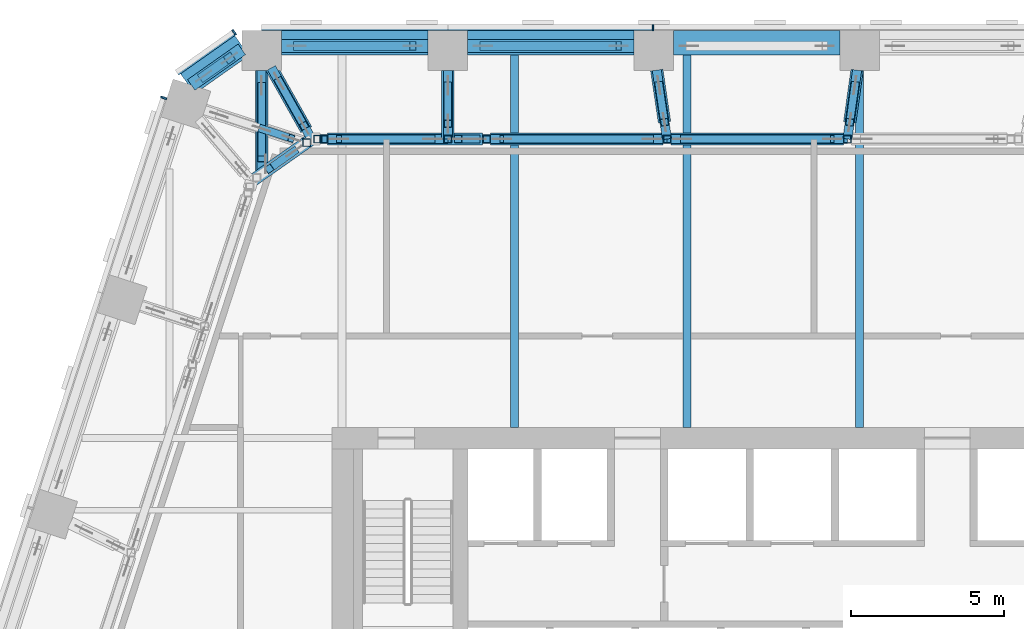
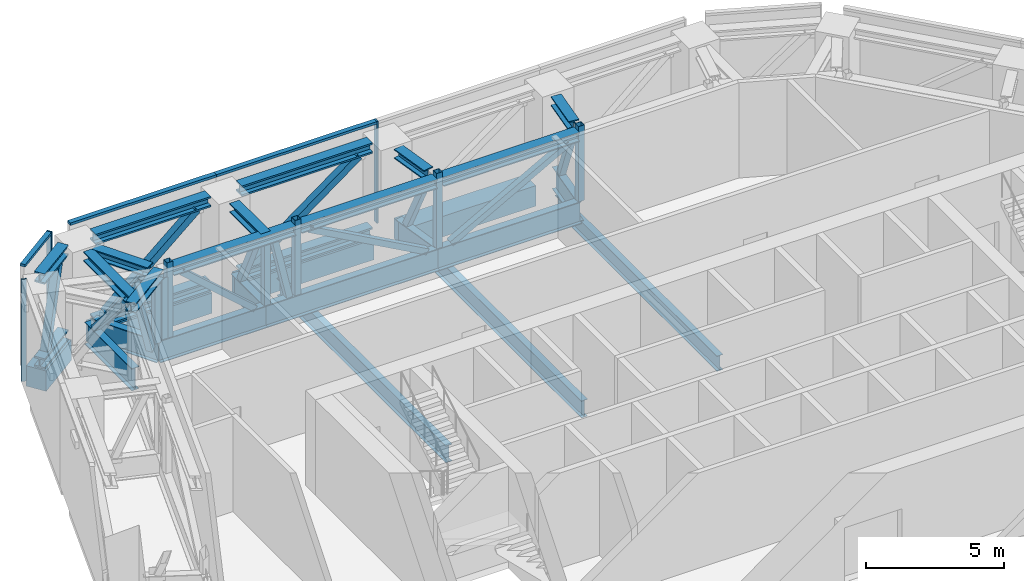
# One storey, part 10 of 26: 50 members, 7 beams, 3 elements without a shape of their own.
"""IFC4 building model written with IfcOpenShell, lengths in metres."""

from ifc_helpers import new_model, si_unit, direction, frame, origin, origin_2d, place, context, subcontext, project, spatial, rectangle, hollow_rectangle, i_section, extrude, material, layer, layer_set, material_profile, profile_set, type_object, element, aggregate, save


model = new_model("IFC4")

# Units and contexts
model_context = context("Model", 3, precision=1e-05, world=origin(), true_north=direction((0.0, 1.0)))
body_context = subcontext(model_context, "Body", "Model", "MODEL_VIEW")
ifc_project = project(units=[si_unit("LENGTHUNIT", "METRE"), si_unit("AREAUNIT", "SQUARE_METRE"), si_unit("VOLUMEUNIT", "CUBIC_METRE"), si_unit("PLANEANGLEUNIT", "RADIAN"), si_unit("MASSUNIT", "GRAM", prefix="KILO")], contexts=[model_context])

# Site, building, storey
site_placement = place(None, origin())
site = spatial("IfcSite", under=ifc_project, at=site_placement, CompositionType="ELEMENT")
building_placement = place(site_placement, origin())
building = spatial("IfcBuilding", under=site, at=building_placement, Name="Isthmus Gate Tower", CompositionType="ELEMENT")
storey_placement = place(building_placement, frame((0.0, 0.0, 207.300048828125)))
storey = spatial("IfcBuildingStorey", under=building, at=storey_placement, Name="L52", CompositionType="ELEMENT", Elevation=207.300048828125)

# Members
ifc_material_1 = material(Name="Structural steel ASTM A913 Gr 65", Category="steel")
ifc_material_profile_1 = material_profile(ifc_material_1, i_section(OverallWidth=0.42236328125, OverallDepth=0.46337890625, WebThickness=0.04443359375, FlangeThickness=0.072998046875, at=origin_2d()), Name="W14X398")
ifc_profile_set_1 = profile_set([ifc_material_profile_1], Name="Structural steel ASTM A913 Gr 65")
member_type_1 = type_object("IfcMemberType", Name="BELT TRUSS CHORD W14X398", PredefinedType="CHORD", material=ifc_profile_set_1)
for number, where, z_axis, x_axis, name in (
    (1, (-19.620361328125, 26.221923828125, 0.231689453125), (0.817877769394, 0.575392000579, 0.0), (-0.575392000579, 0.817877769394, 0.0), "str-belt25-L52-01"),
    (2, (-19.620361328125, 26.221923828125, 3.96826171875), (0.817877769394, 0.575392000579, 0.0), (-0.575392000579, 0.817877769394, 0.0), "str-belt25-L52-02"),
):
    element("IfcMember", number, at=place(storey_placement, frame(where, z_axis=z_axis, x_axis=x_axis)), inside=storey, type_object=member_type_1, Name=name, PredefinedType="CHORD", context=body_context, shape_type="SweptSolid", body=[
        extrude(i_section(OverallWidth=0.42236328125, OverallDepth=0.46337890625, WebThickness=0.04443359375, FlangeThickness=0.072998046875, at=origin_2d()), origin(), (0.0, 0.0, 1.0), 2.02783203125),
    ])
for number, where, z_axis, x_axis, name in (
    (3, (-16.661865234375, 27.5, 0.231689453125), (1.0, 0.0, 0.0), (0.0, 1.0, 0.0), "str-belt26-L52-01"),
    (4, (-16.661865234375, 27.5, 3.96826171875), (1.0, 0.0, 0.0), (0.0, 1.0, 0.0), "str-belt26-L52-02"),
):
    element("IfcMember", number, at=place(storey_placement, frame(where, z_axis=z_axis, x_axis=x_axis)), inside=storey, type_object=member_type_1, Name=name, PredefinedType="CHORD", context=body_context, shape_type="SweptSolid", body=[
        extrude(i_section(OverallWidth=0.42236328125, OverallDepth=0.46337890625, WebThickness=0.04443359375, FlangeThickness=0.072998046875, at=origin_2d()), origin(), (0.0, 0.0, 1.0), 4.800048828125),
    ])
for number, where, z_axis, x_axis, name in (
    (5, (-10.561767578125, 27.5, 0.231689453125), (1.0, 0.0, 0.0), (0.0, 1.0, 0.0), "str-belt27-L52-01"),
    (6, (-10.561767578125, 27.5, 3.96826171875), (1.0, 0.0, 0.0), (0.0, 1.0, 0.0), "str-belt27-L52-02"),
):
    element("IfcMember", number, at=place(storey_placement, frame(where, z_axis=z_axis, x_axis=x_axis)), inside=storey, type_object=member_type_1, Name=name, PredefinedType="CHORD", context=body_context, shape_type="SweptSolid", body=[
        extrude(i_section(OverallWidth=0.42236328125, OverallDepth=0.46337890625, WebThickness=0.04443359375, FlangeThickness=0.072998046875, at=origin_2d()), origin(), (0.0, 0.0, 1.0), 5.449951171875),
    ])

# Curtain wall, member
ifc_material_2 = material(Name="Aluminium, pale champagne anodised", Category="aluminium")
ifc_layer = layer(ifc_material_2, 0.199951171875)
ifc_layer_set = layer_set([ifc_layer], Name="CW-2 LOUVRE CURTAIN WALL 200 DEEP")
curtain_wall_type = type_object("IfcCurtainWallType", Name="CW-2 LOUVRE CURTAIN WALL 200 DEEP", PredefinedType="NOTDEFINED", material=ifc_layer_set)
curtain_wall_1_placement = place(storey_placement, origin())
curtain_wall_1 = element("IfcCurtainWall", 7, at=curtain_wall_1_placement, inside=storey, type_object=curtain_wall_type, Name="CW-2 N L52", PredefinedType="NOTDEFINED")
ifc_material_3 = material(Name="Aluminium, pale champagne anodised", Category="aluminium")
ifc_material_profile_2 = material_profile(ifc_material_3, rectangle(XDim=0.06005859375, YDim=0.199951171875, at=origin_2d()), Name="60x200")
ifc_profile_set_2 = profile_set([ifc_material_profile_2], Name="Aluminium, pale champagne anodised")
member_type_2 = type_object("IfcMemberType", Name="CW-2 MULLION 60 X 200", PredefinedType="MULLION", material=ifc_profile_set_2)
member_1_placement = place(storey_placement, frame((-4.49169921875, 28.10009765625, 0.0), z_axis=(0.0, 0.0, 1.0), x_axis=(-1.0, 0.0, 0.0)))
member_1 = element("IfcMember", 8, at=member_1_placement, type_object=member_type_2, Name="CW-2 mullion", PredefinedType="MULLION", context=body_context, shape_type="SweptSolid", body=[
    extrude(rectangle(XDim=0.06005859375, YDim=0.199951171875, at=origin_2d()), origin(), (0.0, 0.0, 1.0), 4.5),
])

curtain_wall_2_placement = place(storey_placement, origin())
curtain_wall_2 = element("IfcCurtainWall", 9, at=curtain_wall_2_placement, inside=storey, type_object=curtain_wall_type, Name="CW-2 N-NW L52", PredefinedType="NOTDEFINED")
member_2_placement = place(storey_placement, frame((-18.216552734375, 27.943115234375, 0.0), z_axis=(0.0, 0.0, 1.0), x_axis=(-0.81785959165, -0.57541783805, 0.0)))
member_2 = element("IfcMember", 10, at=member_2_placement, type_object=member_type_2, Name="CW-2 mullion", PredefinedType="MULLION", context=body_context, shape_type="SweptSolid", body=[
    extrude(rectangle(XDim=0.06005859375, YDim=0.199951171875, at=origin_2d()), origin(), (0.0, 0.0, 1.0), 4.5),
])

curtain_wall_3_placement = place(storey_placement, origin())
curtain_wall_3 = element("IfcCurtainWall", 11, at=curtain_wall_3_placement, inside=storey, type_object=curtain_wall_type, Name="CW-2 NW L52", PredefinedType="NOTDEFINED")
member_3_placement = place(storey_placement, frame((-20.52001953125, 25.799072265625, 0.0), z_axis=(0.0, 0.0, 1.0), x_axis=(-0.309016994375, -0.951056516295, 0.0)))
member_3 = element("IfcMember", 12, at=member_3_placement, type_object=member_type_2, Name="CW-2 mullion", PredefinedType="MULLION", context=body_context, shape_type="SweptSolid", body=[
    extrude(rectangle(XDim=0.06005859375, YDim=0.199951171875, at=origin_2d()), origin(), (0.0, 0.0, 1.0), 4.5),
])
aggregate(curtain_wall_3, [member_3])

# Member
ifc_material_4 = material(Name="Aluminium, pale champagne anodised", Category="aluminium")
ifc_material_profile_3 = material_profile(ifc_material_4, rectangle(XDim=0.199951171875, YDim=0.110107421875, at=origin_2d()), Name="200x110")
ifc_profile_set_3 = profile_set([ifc_material_profile_3], Name="Aluminium, pale champagne anodised")
member_type_3 = type_object("IfcMemberType", Name="CW-2 TRANSOM 200 X 110", PredefinedType="USERDEFINED", material=ifc_profile_set_3)
member_4_placement = place(storey_placement, frame((-4.521728515625, 28.10009765625, 4.445068359375), z_axis=(-1.0, 0.0, 0.0), x_axis=(0.0, -1.0, 0.0)))
member_4 = element("IfcMember", 13, at=member_4_placement, type_object=member_type_3, Name="CW-2 transom", ObjectType="TRANSOM", PredefinedType="USERDEFINED", context=body_context, shape_type="SweptSolid", body=[
    extrude(rectangle(XDim=0.199951171875, YDim=0.110107421875, at=origin_2d()), origin(), (0.0, 0.0, 1.0), 6.690185546875),
])

member_5_placement = place(storey_placement, frame((-11.2119140625, 28.10009765625, 4.445068359375), z_axis=(-1.0, 0.0, 0.0), x_axis=(0.0, -1.0, 0.0)))
member_5 = element("IfcMember", 14, at=member_5_placement, type_object=member_type_3, Name="CW-2 transom", ObjectType="TRANSOM", PredefinedType="USERDEFINED", context=body_context, shape_type="SweptSolid", body=[
    extrude(rectangle(XDim=0.199951171875, YDim=0.110107421875, at=origin_2d()), origin(), (0.0, 0.0, 1.0), 6.10009765625),
])

aggregate(curtain_wall_1, [member_1, member_4, member_5])

member_6_placement = place(storey_placement, frame((-18.2412109375, 27.92578125, 4.445068359375), z_axis=(-0.817868595604, -0.575405040233, 0.0), x_axis=(0.575405040233, -0.817868595604, 0.0)))
member_6 = element("IfcMember", 15, at=member_6_placement, type_object=member_type_3, Name="CW-2 transom", ObjectType="TRANSOM", PredefinedType="USERDEFINED", context=body_context, shape_type="SweptSolid", body=[
    extrude(rectangle(XDim=0.199951171875, YDim=0.110107421875, at=origin_2d()), origin(), (0.0, 0.0, 1.0), 2.258544921875),
])

aggregate(curtain_wall_2, [member_2, member_6])

# Beams
ifc_material_5 = material(Name="Concrete f'c 60 MPa", Category="concrete")
ifc_material_profile_4 = material_profile(ifc_material_5, rectangle(XDim=0.800048828125, YDim=0.89990234375, at=origin_2d()), Name="RC 800X900")
ifc_profile_set_4 = profile_set([ifc_material_profile_4], Name="Concrete f'c 60 MPa")
beam_type_1 = type_object("IfcBeamType", Name="RC SPANDREL 800 X 900", PredefinedType="SPANDREL", material=ifc_profile_set_4)
beam_1_placement = place(storey_placement, frame((-19.7392578125, 26.260498046875, -0.449951171875), z_axis=(0.817857331203, 0.575421050882, 0.0), x_axis=(-0.575421050882, 0.817857331203, 0.0)))
element("IfcBeam", 16, at=beam_1_placement, inside=storey, type_object=beam_type_1, Name="str-spandrel-L52-25", PredefinedType="SPANDREL", context=body_context, shape_type="SweptSolid", body=[
    extrude(rectangle(XDim=0.800048828125, YDim=0.89990234375, at=origin_2d()), origin(), (0.0, 0.0, 1.0), 2.173095703125),
])
beam_2_placement = place(storey_placement, frame((-16.661865234375, 27.60009765625, -0.449951171875), z_axis=(1.0, 0.0, 0.0), x_axis=(0.0, 1.0, 0.0)))
element("IfcBeam", 17, at=beam_2_placement, inside=storey, type_object=beam_type_1, Name="str-spandrel-L52-26", PredefinedType="SPANDREL", context=body_context, shape_type="SweptSolid", body=[
    extrude(rectangle(XDim=0.800048828125, YDim=0.89990234375, at=origin_2d()), origin(), (0.0, 0.0, 1.0), 4.800048828125),
])
beam_3_placement = place(storey_placement, frame((-10.561767578125, 27.60009765625, -0.449951171875), z_axis=(1.0, 0.0, 0.0), x_axis=(0.0, 1.0, 0.0)))
element("IfcBeam", 18, at=beam_3_placement, inside=storey, type_object=beam_type_1, Name="str-spandrel-L52-27", PredefinedType="SPANDREL", context=body_context, shape_type="SweptSolid", body=[
    extrude(rectangle(XDim=0.800048828125, YDim=0.89990234375, at=origin_2d()), origin(), (0.0, 0.0, 1.0), 5.449951171875),
])
beam_4_placement = place(storey_placement, frame((-3.811767578125, 27.60009765625, -0.449951171875), z_axis=(1.0, 0.0, 0.0), x_axis=(0.0, 1.0, 0.0)))
element("IfcBeam", 19, at=beam_4_placement, inside=storey, type_object=beam_type_1, Name="str-spandrel-L52-28", PredefinedType="SPANDREL", context=body_context, shape_type="SweptSolid", body=[
    extrude(rectangle(XDim=0.800048828125, YDim=0.89990234375, at=origin_2d()), origin(), (0.0, 0.0, 1.0), 5.4501953125),
])
ifc_material_6 = material(Name="Structural steel ASTM A992 Gr 50", Category="steel")
ifc_material_profile_5 = material_profile(ifc_material_6, i_section(OverallWidth=0.25390625, OverallDepth=0.679443359375, WebThickness=0.010986328125, FlangeThickness=0.015869140625, at=origin_2d()), Name="W27X84")
ifc_profile_set_5 = profile_set([ifc_material_profile_5], Name="Structural steel ASTM A992 Gr 50")
beam_type_2 = type_object("IfcBeamType", Name="STEEL FLOOR BEAM W27X84", PredefinedType="JOIST", material=ifc_profile_set_5)
beam_5_placement = place(storey_placement, frame((2.2783203125, 15.0, -0.6396484375), z_axis=(0.0, 1.0, 0.0), x_axis=(-1.0, 0.0, 0.0)))
element("IfcBeam", 20, at=beam_5_placement, inside=storey, type_object=beam_type_2, Name="str-beam-L52-05-04", PredefinedType="JOIST", context=body_context, shape_type="SweptSolid", body=[
    extrude(i_section(OverallWidth=0.25390625, OverallDepth=0.679443359375, WebThickness=0.010986328125, FlangeThickness=0.015869140625, at=origin_2d()), origin(), (0.0, 0.0, 1.0), 11.699951171875),
])
ifc_material_7 = material(Name="Structural steel ASTM A992 Gr 50", Category="steel")
ifc_material_profile_6 = material_profile(ifc_material_7, i_section(OverallWidth=0.263427734375, OverallDepth=0.749267578125, WebThickness=0.0126953125, FlangeThickness=0.015869140625, at=origin_2d()), Name="W30X90")
ifc_profile_set_6 = profile_set([ifc_material_profile_6], Name="Structural steel ASTM A992 Gr 50")
beam_type_3 = type_object("IfcBeamType", Name="STEEL FLOOR BEAM W30X90", PredefinedType="JOIST", material=ifc_profile_set_6)
for number, where, z_axis, x_axis, name in (
    (21, (-9.027099609375, 15.0, -0.6748046875), (0.0, 1.0, 0.0), (-1.0, 0.0, 0.0), "str-beam-L52-05-02"),
    (22, (-3.37451171875, 15.0, -0.6748046875), (0.0, 1.0, 0.0), (-1.0, 0.0, 0.0), "str-beam-L52-05-03"),
):
    element("IfcBeam", number, at=place(storey_placement, frame(where, z_axis=z_axis, x_axis=x_axis)), inside=storey, type_object=beam_type_3, Name=name, PredefinedType="JOIST", context=body_context, shape_type="SweptSolid", body=[
        extrude(i_section(OverallWidth=0.263427734375, OverallDepth=0.749267578125, WebThickness=0.0126953125, FlangeThickness=0.015869140625, at=origin_2d()), origin(), (0.0, 0.0, 1.0), 12.199951171875),
    ])

# Members
ifc_material_8 = material(Name="Structural steel ASTM A913 Gr 65", Category="steel")
ifc_material_profile_7 = material_profile(ifc_material_8, i_section(OverallWidth=0.406494140625, OverallDepth=0.416015625, WebThickness=0.0302734375, FlangeThickness=0.047607421875, at=origin_2d()), Name="W14X257")
ifc_profile_set_7 = profile_set([ifc_material_profile_7], Name="Structural steel ASTM A913 Gr 65")
member_type_4 = type_object("IfcMemberType", Name="TRANSFER TRUSS CHORD W14X257", PredefinedType="CHORD", material=ifc_profile_set_7)
member_7_placement = place(storey_placement, frame((-17.6376953125, 23.070556640625, 3.89208984375), z_axis=(0.817841924494, 0.575442948119, 0.0), x_axis=(-0.575442948119, 0.817841924494, 0.0)))
element("IfcMember", 23, at=member_7_placement, inside=storey, type_object=member_type_4, Name="str-ring10-L52-04", PredefinedType="CHORD", context=body_context, shape_type="SweptSolid", body=[
    extrude(i_section(OverallWidth=0.406494140625, OverallDepth=0.416015625, WebThickness=0.0302734375, FlangeThickness=0.047607421875, at=origin_2d()), origin(), (0.0, 0.0, 1.0), 2.397216796875),
])
member_8_placement = place(storey_placement, frame((-15.150146484375, 24.449951171875, 3.89208984375), z_axis=(1.0, 0.0, 0.0), x_axis=(0.0, 1.0, 0.0)))
element("IfcMember", 24, at=member_8_placement, inside=storey, type_object=member_type_4, Name="str-ring11-L52-14", PredefinedType="CHORD", context=body_context, shape_type="SweptSolid", body=[
    extrude(i_section(OverallWidth=0.406494140625, OverallDepth=0.416015625, WebThickness=0.0302734375, FlangeThickness=0.047607421875, at=origin_2d()), origin(), (0.0, 0.0, 1.0), 5.08203125),
])
for number, where, z_axis, x_axis, name in (
    (25, (-9.814208984375, 24.449951171875, 3.89208984375), (1.0, 0.0, 0.0), (0.0, 1.0, 0.0), "str-ring11-L52-15"),
    (26, (-3.903076171875, 24.449951171875, 3.89208984375), (1.0, 0.0, 0.0), (0.0, 1.0, 0.0), "str-ring11-L52-16"),
):
    element("IfcMember", number, at=place(storey_placement, frame(where, z_axis=z_axis, x_axis=x_axis)), inside=storey, type_object=member_type_4, Name=name, PredefinedType="CHORD", context=body_context, shape_type="SweptSolid", body=[
        extrude(i_section(OverallWidth=0.406494140625, OverallDepth=0.416015625, WebThickness=0.0302734375, FlangeThickness=0.047607421875, at=origin_2d()), origin(), (0.0, 0.0, 1.0), 5.656982421875),
    ])
member_9_placement = place(storey_placement, frame((2.197998046875, 26.706298828125, 3.89208984375), z_axis=(-0.13941764639, -0.99023366933, 0.0), x_axis=(0.99023366933, -0.13941764639, 0.0)))
element("IfcMember", 27, at=member_9_placement, inside=storey, type_object=member_type_4, Name="str-link01-L52-02", PredefinedType="CHORD", context=body_context, shape_type="SweptSolid", body=[
    extrude(i_section(OverallWidth=0.406494140625, OverallDepth=0.416015625, WebThickness=0.0302734375, FlangeThickness=0.047607421875, at=origin_2d()), origin(), (0.0, 0.0, 1.0), 1.72314453125),
])
member_10_placement = place(storey_placement, frame((-4.365966796875, 26.70703125, 3.89208984375), z_axis=(0.147122848446, -0.989118227243, 0.0), x_axis=(0.989118227243, 0.147122848446, 0.0)))
element("IfcMember", 28, at=member_10_placement, inside=storey, type_object=member_type_4, Name="str-link02-L52-02", PredefinedType="CHORD", context=body_context, shape_type="SweptSolid", body=[
    extrude(i_section(OverallWidth=0.406494140625, OverallDepth=0.416015625, WebThickness=0.0302734375, FlangeThickness=0.047607421875, at=origin_2d()), origin(), (0.0, 0.0, 1.0), 1.725830078125),
])
member_11_placement = place(storey_placement, frame((-11.2119140625, 26.699951171875, 3.89208984375), z_axis=(0.0, -1.0, 0.0), x_axis=(1.0, 0.0, 0.0)))
element("IfcMember", 29, at=member_11_placement, inside=storey, type_object=member_type_4, Name="str-link03-L52-02", PredefinedType="CHORD", context=body_context, shape_type="SweptSolid", body=[
    extrude(i_section(OverallWidth=0.406494140625, OverallDepth=0.416015625, WebThickness=0.0302734375, FlangeThickness=0.047607421875, at=origin_2d()), origin(), (0.0, 0.0, 1.0), 2.25),
])
member_12_placement = place(storey_placement, frame((-17.31201171875, 26.699951171875, 3.89208984375), z_axis=(0.0, -1.0, 0.0), x_axis=(1.0, 0.0, 0.0)))
element("IfcMember", 30, at=member_12_placement, inside=storey, type_object=member_type_4, Name="str-link04-L52-02", PredefinedType="CHORD", context=body_context, shape_type="SweptSolid", body=[
    extrude(i_section(OverallWidth=0.406494140625, OverallDepth=0.416015625, WebThickness=0.0302734375, FlangeThickness=0.047607421875, at=origin_2d()), origin(), (0.0, 0.0, 1.0), 3.400146484375),
])
member_13_placement = place(storey_placement, frame((-16.99267578125, 26.78369140625, 3.89208984375), z_axis=(0.491029005317, -0.87114322355, 0.0), x_axis=(0.87114322355, 0.491029005317, 0.0)))
element("IfcMember", 31, at=member_13_placement, inside=storey, type_object=member_type_4, Name="str-link41-L52-02", PredefinedType="CHORD", context=body_context, shape_type="SweptSolid", body=[
    extrude(i_section(OverallWidth=0.406494140625, OverallDepth=0.416015625, WebThickness=0.0302734375, FlangeThickness=0.047607421875, at=origin_2d()), origin(), (0.0, 0.0, 1.0), 2.324462890625),
])
ifc_material_9 = material(Name="Structural steel ASTM A913 Gr 65", Category="steel")
ifc_material_profile_8 = material_profile(ifc_material_9, i_section(OverallWidth=0.29833984375, OverallDepth=0.981201171875, WebThickness=0.015869140625, FlangeThickness=0.025390625, at=origin_2d()), Name="W40X167")
ifc_profile_set_8 = profile_set([ifc_material_profile_8], Name="Structural steel ASTM A913 Gr 65")
member_type_5 = type_object("IfcMemberType", Name="TRANSFER TRUSS CHORD W40X167", PredefinedType="CHORD", material=ifc_profile_set_8)
member_14_placement = place(storey_placement, frame((-15.67724609375, 24.449951171875, 0.490478515625), z_axis=(1.0, 0.0, 0.0), x_axis=(0.0, 1.0, 0.0)))
element("IfcMember", 32, at=member_14_placement, inside=storey, type_object=member_type_5, Name="str-ring11-L52-09", PredefinedType="CHORD", context=body_context, shape_type="SweptSolid", body=[
    extrude(i_section(OverallWidth=0.29833984375, OverallDepth=0.981201171875, WebThickness=0.015869140625, FlangeThickness=0.025390625, at=origin_2d()), origin(), (0.0, 0.0, 1.0), 4.465087890625),
])
member_15_placement = place(storey_placement, frame((-11.212158203125, 24.449951171875, 0.490478515625), z_axis=(1.0, 0.0, 0.0), x_axis=(0.0, 1.0, 0.0)))
element("IfcMember", 33, at=member_15_placement, inside=storey, type_object=member_type_5, Name="str-ring11-L52-10", PredefinedType="CHORD", context=body_context, shape_type="SweptSolid", body=[
    extrude(i_section(OverallWidth=0.29833984375, OverallDepth=0.981201171875, WebThickness=0.015869140625, FlangeThickness=0.025390625, at=origin_2d()), origin(), (0.0, 0.0, 1.0), 7.181884765625),
])
member_16_placement = place(storey_placement, frame((-4.0302734375, 24.449951171875, 0.490478515625), z_axis=(1.0, 0.0, 0.0), x_axis=(0.0, 1.0, 0.0)))
element("IfcMember", 34, at=member_16_placement, inside=storey, type_object=member_type_5, Name="str-ring11-L52-11", PredefinedType="CHORD", context=body_context, shape_type="SweptSolid", body=[
    extrude(i_section(OverallWidth=0.29833984375, OverallDepth=0.981201171875, WebThickness=0.015869140625, FlangeThickness=0.025390625, at=origin_2d()), origin(), (0.0, 0.0, 1.0), 5.9111328125),
])
member_17_placement = place(storey_placement, frame((2.197998046875, 26.706298828125, 0.490478515625), z_axis=(-0.13929094881, -0.990251499155, 0.0), x_axis=(0.990251499155, -0.13929094881, 0.0)))
element("IfcMember", 35, at=member_17_placement, inside=storey, type_object=member_type_5, Name="str-link01-L52-01", PredefinedType="CHORD", context=body_context, shape_type="SweptSolid", body=[
    extrude(i_section(OverallWidth=0.29833984375, OverallDepth=0.981201171875, WebThickness=0.015869140625, FlangeThickness=0.025390625, at=origin_2d()), origin(), (0.0, 0.0, 1.0), 2.278564453125),
])
member_18_placement = place(storey_placement, frame((-4.365966796875, 26.70703125, 0.490478515625), z_axis=(0.147215543838, -0.98910443516, 0.0), x_axis=(0.98910443516, 0.147215543838, 0.0)))
element("IfcMember", 36, at=member_18_placement, inside=storey, type_object=member_type_5, Name="str-link02-L52-01", PredefinedType="CHORD", context=body_context, shape_type="SweptSolid", body=[
    extrude(i_section(OverallWidth=0.29833984375, OverallDepth=0.981201171875, WebThickness=0.015869140625, FlangeThickness=0.025390625, at=origin_2d()), origin(), (0.0, 0.0, 1.0), 2.281982421875),
])
member_19_placement = place(storey_placement, frame((-11.2119140625, 26.699951171875, 0.490478515625), z_axis=(0.0, -1.0, 0.0), x_axis=(1.0, 0.0, 0.0)))
element("IfcMember", 37, at=member_19_placement, inside=storey, type_object=member_type_5, Name="str-link03-L52-01", PredefinedType="CHORD", context=body_context, shape_type="SweptSolid", body=[
    extrude(i_section(OverallWidth=0.29833984375, OverallDepth=0.981201171875, WebThickness=0.015869140625, FlangeThickness=0.025390625, at=origin_2d()), origin(), (0.0, 0.0, 1.0), 2.25),
])
member_20_placement = place(storey_placement, frame((-17.31201171875, 26.699951171875, 0.490478515625), z_axis=(0.0, -1.0, 0.0), x_axis=(1.0, 0.0, 0.0)))
element("IfcMember", 38, at=member_20_placement, inside=storey, type_object=member_type_5, Name="str-link04-L52-01", PredefinedType="CHORD", context=body_context, shape_type="SweptSolid", body=[
    extrude(i_section(OverallWidth=0.29833984375, OverallDepth=0.981201171875, WebThickness=0.015869140625, FlangeThickness=0.025390625, at=origin_2d()), origin(), (0.0, 0.0, 1.0), 3.400146484375),
])
member_21_placement = place(storey_placement, frame((-16.99267578125, 26.78369140625, 0.490478515625), z_axis=(0.491026895651, -0.871144412682, 0.0), x_axis=(0.871144412682, 0.491026895651, 0.0)))
element("IfcMember", 39, at=member_21_placement, inside=storey, type_object=member_type_5, Name="str-link41-L52-01", PredefinedType="CHORD", context=body_context, shape_type="SweptSolid", body=[
    extrude(i_section(OverallWidth=0.29833984375, OverallDepth=0.981201171875, WebThickness=0.015869140625, FlangeThickness=0.025390625, at=origin_2d()), origin(), (0.0, 0.0, 1.0), 2.678955078125),
])
ifc_material_10 = material(Name="Structural steel ASTM A500 Gr C", Category="steel")
ifc_material_profile_9 = material_profile(ifc_material_10, hollow_rectangle(XDim=0.25390625, YDim=0.25390625, WallThickness=0.01171875, at=origin_2d()), Name="HSS10X10X1/2")
ifc_profile_set_9 = profile_set([ifc_material_profile_9], Name="Structural steel ASTM A500 Gr C")
member_type_6 = type_object("IfcMemberType", Name="TRANSFER TRUSS DIAGONAL HSS10X10X1/2", PredefinedType="BRACE", material=ifc_profile_set_9)
member_22_placement = place(storey_placement, frame((-16.249755859375, 24.047119140625, 0.98095703125), z_axis=(-0.283023119705, -0.199133033325, 0.938213168076), x_axis=(0.575432749959, -0.817849099941, 0.0)))
element("IfcMember", 40, at=member_22_placement, inside=storey, type_object=member_type_6, Name="str-ring10-L52-05", PredefinedType="BRACE", context=body_context, shape_type="SweptSolid", body=[
    extrude(hollow_rectangle(XDim=0.25390625, YDim=0.25390625, WallThickness=0.01171875, at=origin_2d()), origin(), (0.0, 0.0, 1.0), 2.881103515625),
])
member_23_placement = place(storey_placement, frame((-11.712158203125, 24.449951171875, 0.98095703125), z_axis=(-0.749987769601, 0.0, 0.661451695477), x_axis=(0.0, -1.0, 0.0)))
element("IfcMember", 41, at=member_23_placement, inside=storey, type_object=member_type_6, Name="str-ring11-L52-19", PredefinedType="BRACE", context=body_context, shape_type="SweptSolid", body=[
    extrude(hollow_rectangle(XDim=0.25390625, YDim=0.25390625, WallThickness=0.01171875, at=origin_2d()), origin(), (0.0, 0.0, 1.0), 4.086669921875),
])
member_24_placement = place(storey_placement, frame((-10.276611328125, 24.449951171875, 0.98095703125), z_axis=(-0.216725065744, 0.0, 0.976232680194), x_axis=(0.0, -1.0, 0.0)))
element("IfcMember", 42, at=member_24_placement, inside=storey, type_object=member_type_6, Name="str-ring11-L52-20", PredefinedType="BRACE", context=body_context, shape_type="SweptSolid", body=[
    extrude(hollow_rectangle(XDim=0.25390625, YDim=0.25390625, WallThickness=0.01171875, at=origin_2d()), origin(), (0.0, 0.0, 1.0), 2.76904296875),
])
member_25_placement = place(storey_placement, frame((-4.5302734375, 24.449951171875, 0.98095703125), z_axis=(-0.876054941944, 0.0, 0.48221130088), x_axis=(0.0, -1.0, 0.0)))
element("IfcMember", 43, at=member_25_placement, inside=storey, type_object=member_type_6, Name="str-ring11-L52-21", PredefinedType="BRACE", context=body_context, shape_type="SweptSolid", body=[
    extrude(hollow_rectangle(XDim=0.25390625, YDim=0.25390625, WallThickness=0.01171875, at=origin_2d()), origin(), (0.0, 0.0, 1.0), 5.605712890625),
])
member_26_placement = place(storey_placement, frame((-3.5302734375, 24.449951171875, 0.98095703125), z_axis=(0.876065068487, 0.0, 0.482192903076), x_axis=(0.0, 1.0, 0.0)))
element("IfcMember", 44, at=member_26_placement, inside=storey, type_object=member_type_6, Name="str-ring11-L52-22", PredefinedType="BRACE", context=body_context, shape_type="SweptSolid", body=[
    extrude(hollow_rectangle(XDim=0.25390625, YDim=0.25390625, WallThickness=0.01171875, at=origin_2d()), origin(), (0.0, 0.0, 1.0), 5.60595703125),
])
member_27_placement = place(storey_placement, frame((2.128173828125, 26.211181640625, 0.98095703125), z_axis=(-0.057435836662, -0.408222329058, 0.911073901901), x_axis=(0.990246684432, -0.1393251735, 0.0)))
element("IfcMember", 45, at=member_27_placement, inside=storey, type_object=member_type_6, Name="str-link01-L52-03", PredefinedType="BRACE", context=body_context, shape_type="SweptSolid", body=[
    extrude(hollow_rectangle(XDim=0.25390625, YDim=0.25390625, WallThickness=0.01171875, at=origin_2d()), origin(), (0.0, 0.0, 1.0), 2.967041015625),
])
member_28_placement = place(storey_placement, frame((-4.29248046875, 26.212646484375, 0.98095703125), z_axis=(0.060785196857, -0.408552195924, 0.910708659808), x_axis=(0.989112390925, 0.147162081114, 0.0)))
element("IfcMember", 46, at=member_28_placement, inside=storey, type_object=member_type_6, Name="str-link02-L52-03", PredefinedType="BRACE", context=body_context, shape_type="SweptSolid", body=[
    extrude(hollow_rectangle(XDim=0.25390625, YDim=0.25390625, WallThickness=0.01171875, at=origin_2d()), origin(), (0.0, 0.0, 1.0), 2.96826171875),
])
member_29_placement = place(storey_placement, frame((-11.2119140625, 26.199951171875, 0.98095703125), z_axis=(0.0, -0.419723480198, 0.907652025928), x_axis=(1.0, 0.0, 0.0)))
element("IfcMember", 47, at=member_29_placement, inside=storey, type_object=member_type_6, Name="str-link03-L52-03", PredefinedType="BRACE", context=body_context, shape_type="SweptSolid", body=[
    extrude(hollow_rectangle(XDim=0.25390625, YDim=0.25390625, WallThickness=0.01171875, at=origin_2d()), origin(), (0.0, 0.0, 1.0), 2.978271484375),
])
member_30_placement = place(storey_placement, frame((-17.31201171875, 26.199951171875, 0.98095703125), z_axis=(0.0, -0.663957120659, 0.747770647944), x_axis=(1.0, 0.0, 0.0)))
element("IfcMember", 48, at=member_30_placement, inside=storey, type_object=member_type_6, Name="str-link04-L52-03", PredefinedType="BRACE", context=body_context, shape_type="SweptSolid", body=[
    extrude(hollow_rectangle(XDim=0.25390625, YDim=0.25390625, WallThickness=0.01171875, at=origin_2d()), origin(), (0.0, 0.0, 1.0), 3.614990234375),
])
member_31_placement = place(storey_placement, frame((-16.747314453125, 26.34814453125, 0.98095703125), z_axis=(0.259162995064, -0.459634548085, 0.849453132431), x_axis=(0.871074174008, 0.491151487197, 0.0)))
element("IfcMember", 49, at=member_31_placement, inside=storey, type_object=member_type_6, Name="str-link41-L52-03", PredefinedType="BRACE", context=body_context, shape_type="SweptSolid", body=[
    extrude(hollow_rectangle(XDim=0.25390625, YDim=0.25390625, WallThickness=0.01171875, at=origin_2d()), origin(), (0.0, 0.0, 1.0), 3.18212890625),
])
member_32_placement = place(storey_placement, frame((-17.3125, 24.78857421875, 2.572265625), z_axis=(0.643685702903, -0.209173606117, 0.736148842546), x_axis=(0.309053669321, 0.951044599101, 0.0)))
element("IfcMember", 50, at=member_32_placement, inside=storey, type_object=member_type_6, Name="str-link05-L52-03b", PredefinedType="BRACE", context=body_context, shape_type="SweptSolid", body=[
    extrude(hollow_rectangle(XDim=0.25390625, YDim=0.25390625, WallThickness=0.01171875, at=origin_2d()), origin(), (0.0, 0.0, 1.0), 1.51025390625),
])
ifc_material_11 = material(Name="Structural steel ASTM A500 Gr C", Category="steel")
ifc_material_profile_10 = material_profile(ifc_material_11, hollow_rectangle(XDim=0.25390625, YDim=0.25390625, WallThickness=0.01171875, at=origin_2d()), Name="HSS10X10X1/2")
ifc_profile_set_10 = profile_set([ifc_material_profile_10], Name="Structural steel ASTM A500 Gr C")
member_type_7 = type_object("IfcMemberType", Name="TRANSFER TRUSS POST HSS10X10X1/2", PredefinedType="POST", material=ifc_profile_set_10)
for number, where, z_axis, x_axis, name in (
    (51, (-15.8408203125, 24.334716796875, 0.98095703125), (0.0, 0.0, 1.0), (1.0, 0.0, 0.0), "str-ring10-L52-02"),
    (52, (-15.477294921875, 24.449951171875, 0.98095703125), (0.0, 0.0, 1.0), (1.0, 0.0, 0.0), "str-ring11-L52-01"),
):
    element("IfcMember", number, at=place(storey_placement, frame(where, z_axis=z_axis, x_axis=x_axis)), inside=storey, type_object=member_type_7, Name=name, PredefinedType="POST", context=body_context, shape_type="SweptSolid", body=[
        extrude(hollow_rectangle(XDim=0.25390625, YDim=0.25390625, WallThickness=0.01171875, at=origin_2d()), origin(), (0.0, 0.0, 1.0), 2.703125),
    ])
member_33_placement = place(storey_placement, frame((-15.277099609375, 24.449951171875, 0.98095703125), z_axis=(0.0, 0.0, 1.0), x_axis=(1.0, 0.0, 0.0)))
element("IfcMember", 53, at=member_33_placement, inside=storey, type_object=member_type_7, Name="str-ring11-L52-02", PredefinedType="POST", context=body_context, shape_type="SweptSolid", body=[
    extrude(hollow_rectangle(XDim=0.25390625, YDim=0.25390625, WallThickness=0.01171875, at=origin_2d()), origin(), (0.0, 0.0, 1.0), 3.319091796875),
])
member_34_placement = place(storey_placement, frame((-11.212158203125, 24.449951171875, 0.98095703125), z_axis=(0.0, 0.0, 1.0), x_axis=(1.0, 0.0, 0.0)))
element("IfcMember", 54, at=member_34_placement, inside=storey, type_object=member_type_7, Name="str-ring11-L52-03", PredefinedType="POST", context=body_context, shape_type="SweptSolid", body=[
    extrude(hollow_rectangle(XDim=0.25390625, YDim=0.25390625, WallThickness=0.01171875, at=origin_2d()), origin(), (0.0, 0.0, 1.0), 2.703125),
])
for number, where, z_axis, x_axis, name in (
    (55, (-9.941162109375, 24.449951171875, 0.98095703125), (0.0, 0.0, 1.0), (1.0, 0.0, 0.0), "str-ring11-L52-04"),
    (56, (-4.0302734375, 24.449951171875, 0.98095703125), (0.0, 0.0, 1.0), (1.0, 0.0, 0.0), "str-ring11-L52-05"),
    (57, (1.880859375, 24.449951171875, 0.98095703125), (0.0, 0.0, 1.0), (1.0, 0.0, 0.0), "str-ring11-L52-06"),
):
    element("IfcMember", number, at=place(storey_placement, frame(where, z_axis=z_axis, x_axis=x_axis)), inside=storey, type_object=member_type_7, Name=name, PredefinedType="POST", context=body_context, shape_type="SweptSolid", body=[
        extrude(hollow_rectangle(XDim=0.25390625, YDim=0.25390625, WallThickness=0.01171875, at=origin_2d()), origin(), (0.0, 0.0, 1.0), 3.319091796875),
    ])
ifc_material_12 = material(Name="Structural steel ASTM A500 Gr C", Category="steel")
ifc_material_profile_11 = material_profile(ifc_material_12, hollow_rectangle(XDim=0.3046875, YDim=0.3046875, WallThickness=0.014892578125, at=origin_2d()), Name="HSS12X12X5/8")
ifc_profile_set_11 = profile_set([ifc_material_profile_11], Name="Structural steel ASTM A500 Gr C")
member_type_8 = type_object("IfcMemberType", Name="TRUSS DIAGONAL HSS12X12X5/8", PredefinedType="BRACE", material=ifc_profile_set_11)
member_35_placement = place(storey_placement, frame((-19.21142578125, 26.509521484375, 0.46337890625), z_axis=(0.24501274656, 0.172355757237, 0.954076646277), x_axis=(-0.575358057362, 0.817901648017, 0.0)))
element("IfcMember", 58, at=member_35_placement, inside=storey, type_object=member_type_8, Name="str-belt25-L52-03", PredefinedType="BRACE", context=body_context, shape_type="SweptSolid", body=[
    extrude(hollow_rectangle(XDim=0.3046875, YDim=0.3046875, WallThickness=0.014892578125, at=origin_2d()), origin(), (0.0, 0.0, 1.0), 3.4306640625),
])
member_36_placement = place(storey_placement, frame((-16.161865234375, 27.5, 0.46337890625), z_axis=(0.757677196929, 0.0, 0.652629500753), x_axis=(0.0, 1.0, 0.0)))
element("IfcMember", 59, at=member_36_placement, inside=storey, type_object=member_type_8, Name="str-belt26-L52-03", PredefinedType="BRACE", context=body_context, shape_type="SweptSolid", body=[
    extrude(hollow_rectangle(XDim=0.3046875, YDim=0.3046875, WallThickness=0.014892578125, at=origin_2d()), origin(), (0.0, 0.0, 1.0), 5.015380859375),
])
member_37_placement = place(storey_placement, frame((-10.061767578125, 27.5, 0.46337890625), z_axis=(0.805549880009, 0.0, 0.592527966274), x_axis=(0.0, 1.0, 0.0)))
element("IfcMember", 60, at=member_37_placement, inside=storey, type_object=member_type_8, Name="str-belt27-L52-03", PredefinedType="BRACE", context=body_context, shape_type="SweptSolid", body=[
    extrude(hollow_rectangle(XDim=0.3046875, YDim=0.3046875, WallThickness=0.014892578125, at=origin_2d()), origin(), (0.0, 0.0, 1.0), 5.524169921875),
])

save(model, "model.ifc")
